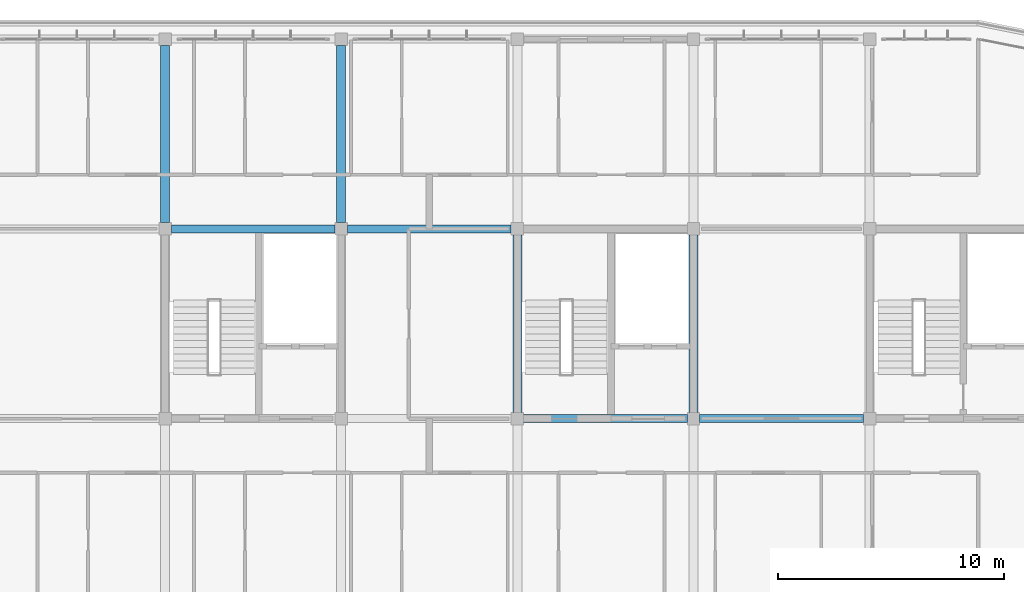
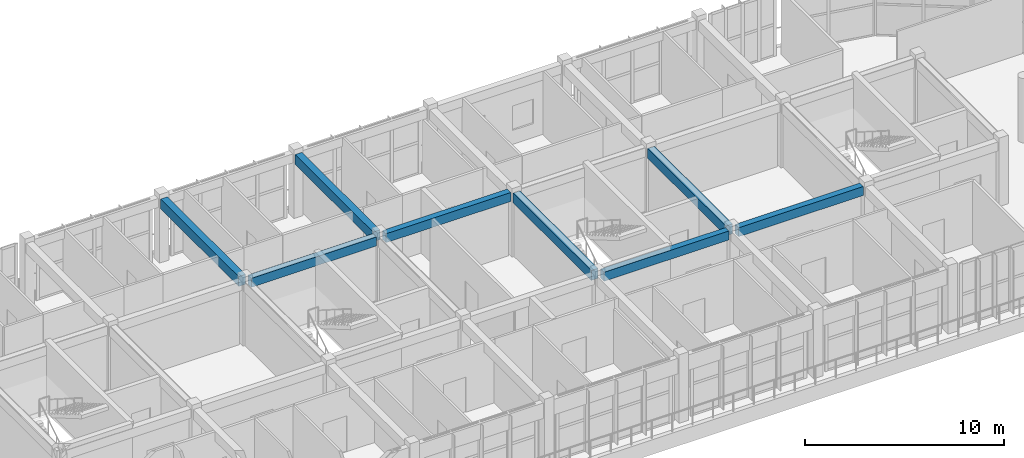
# One storey, part 15 of 44: 8 beams.
"""IFC4 building model written with IfcOpenShell, lengths in metres."""

from ifc_helpers import new_model, si_unit, direction, frame, origin, origin_2d, place, context, subcontext, project, spatial, rectangle, extrude, material, material_profile, profile_set, type_object, element, save


model = new_model("IFC4")

# Units and contexts
model_context = context("Model", 3, precision=1e-05, world=origin(), true_north=direction((0.0, 1.0)))
body_context = subcontext(model_context, "Body", "Model", "MODEL_VIEW")
ifc_project = project(units=[si_unit("LENGTHUNIT", "METRE"), si_unit("AREAUNIT", "SQUARE_METRE"), si_unit("VOLUMEUNIT", "CUBIC_METRE"), si_unit("PLANEANGLEUNIT", "RADIAN"), si_unit("MASSUNIT", "GRAM", prefix="KILO")], contexts=[model_context])

# Site, building, storey
site_placement = place(None, origin())
site = spatial("IfcSite", under=ifc_project, at=site_placement, CompositionType="ELEMENT")
building_placement = place(site_placement, origin())
building = spatial("IfcBuilding", under=site, at=building_placement, Name="Zizhar Promenade General Hospital", CompositionType="ELEMENT")
storey_placement = place(building_placement, frame((0.0, 0.0, 34.800048828125)))
storey = spatial("IfcBuildingStorey", under=building, at=storey_placement, Name="L08", CompositionType="ELEMENT", Elevation=34.800048828125)

# Beams
ifc_material_1 = material(Name="Concrete C35/45", Category="concrete")
ifc_material_profile_1 = material_profile(ifc_material_1, rectangle(XDim=0.35009765625, YDim=0.550048828125, at=origin_2d()))
ifc_profile_set_1 = profile_set([ifc_material_profile_1], Name="Concrete C35/45")
beam_type_1 = type_object("IfcBeamType", Name="BM-RC-350x550", PredefinedType="LINTEL", material=ifc_profile_set_1)
for number, where, z_axis, x_axis, name in (
    (1, (62.675048828125, 16.800048828125, 3.635009765625), (1.0, 0.0, 0.0), (0.0, 1.0, 0.0), "Grid Beam X L08 (8-2)"),
    (2, (70.47509765625, 16.800048828125, 3.635009765625), (1.0, 0.0, 0.0), (0.0, 1.0, 0.0), "Grid Beam X L08 (9-2)"),
    (3, (78.27490234375, 8.39990234375, 3.635009765625), (1.0, 0.0, 0.0), (0.0, 1.0, 0.0), "Grid Beam X L08 (10-1)"),
    (4, (86.074951171875, 8.39990234375, 3.635009765625), (1.0, 0.0, 0.0), (0.0, 1.0, 0.0), "Grid Beam X L08 (11-1)"),
):
    element("IfcBeam", number, at=place(storey_placement, frame(where, z_axis=z_axis, x_axis=x_axis)), inside=storey, type_object=beam_type_1, Name=name, PredefinedType="LINTEL", context=body_context, shape_type="SweptSolid", body=[
        extrude(rectangle(XDim=0.35009765625, YDim=0.550048828125, at=origin_2d()), origin(), (0.0, 0.0, 1.0), 7.25),
    ])
ifc_material_2 = material(Name="Concrete C35/45", Category="concrete")
ifc_material_profile_2 = material_profile(ifc_material_2, rectangle(XDim=0.39990234375, YDim=0.60009765625, at=origin_2d()))
ifc_profile_set_2 = profile_set([ifc_material_profile_2], Name="Concrete C35/45")
beam_type_2 = type_object("IfcBeamType", Name="BM-RC-400x600", PredefinedType="JOIST", material=ifc_profile_set_2)
for number, where, z_axis, x_axis, name in (
    (5, (62.39990234375, 17.074951171875, 3.60986328125), (0.0, 1.0, 0.0), (-1.0, 0.0, 0.0), "Grid Beam Y L08 (8-2)"),
    (6, (70.199951171875, 17.074951171875, 3.60986328125), (0.0, 1.0, 0.0), (-1.0, 0.0, 0.0), "Grid Beam Y L08 (9-2)"),
):
    element("IfcBeam", number, at=place(storey_placement, frame(where, z_axis=z_axis, x_axis=x_axis)), inside=storey, type_object=beam_type_2, Name=name, PredefinedType="JOIST", context=body_context, shape_type="SweptSolid", body=[
        extrude(rectangle(XDim=0.39990234375, YDim=0.60009765625, at=origin_2d()), origin(), (0.0, 0.0, 1.0), 7.85009765625),
    ])
for number, where, z_axis, x_axis, name in (
    (7, (78.0, 8.675048828125, 3.60986328125), (0.0, 1.0, 0.0), (-1.0, 0.0, 0.0), "Grid Beam Y L08 (10-1)"),
    (8, (85.800048828125, 8.675048828125, 3.60986328125), (0.0, 1.0, 0.0), (-1.0, 0.0, 0.0), "Grid Beam Y L08 (11-1)"),
):
    element("IfcBeam", number, at=place(storey_placement, frame(where, z_axis=z_axis, x_axis=x_axis)), inside=storey, type_object=beam_type_2, Name=name, PredefinedType="JOIST", context=body_context, shape_type="SweptSolid", body=[
        extrude(rectangle(XDim=0.39990234375, YDim=0.60009765625, at=origin_2d()), origin(), (0.0, 0.0, 1.0), 7.849853515625),
    ])

save(model, "model.ifc")
